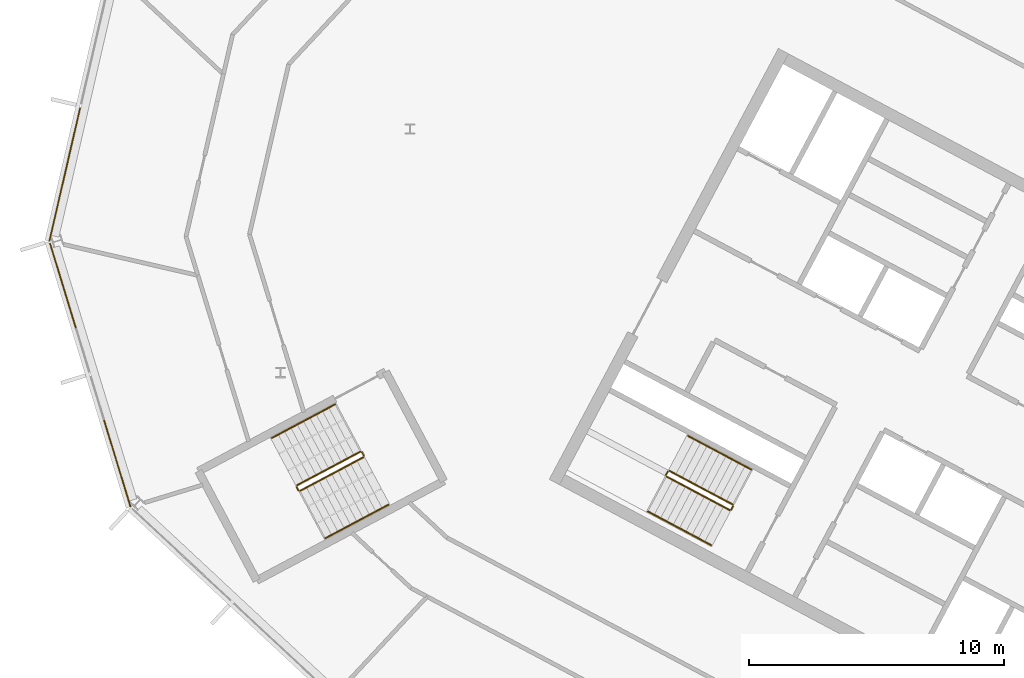
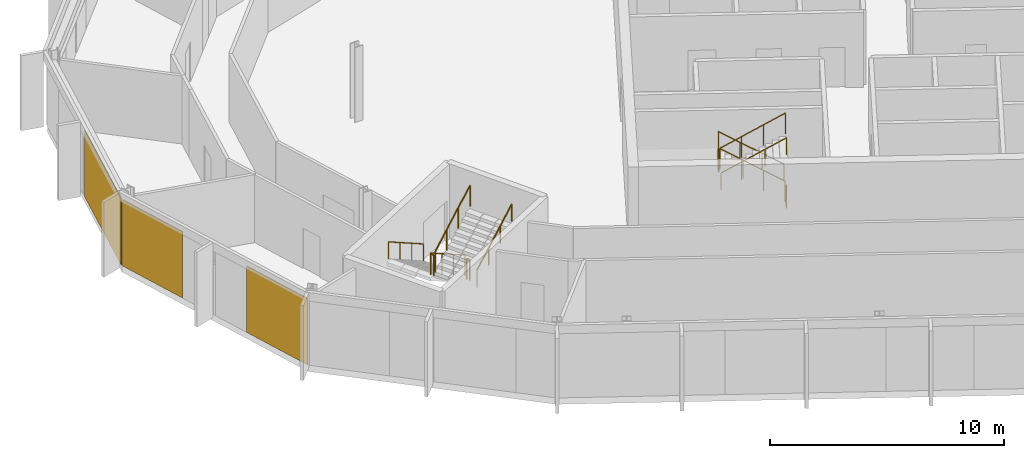
# One storey, part 21 of 26: 12 railings, 3 coverings, 2 elements without a shape of their own.
"""IFC4 building model written with IfcOpenShell, lengths in metres."""

from ifc_helpers import new_model, si_unit, direction, frame, origin, origin_2d, place, context, subcontext, project, spatial, polyline, rectangle, outline, extrude, material, layer, layer_set, type_object, element, aggregate, save


model = new_model("IFC4")

# Units and contexts
model_context = context("Model", 3, precision=1e-05, world=origin(), true_north=direction((0.0, 1.0)))
body_context = subcontext(model_context, "Body", "Model", "MODEL_VIEW")
ifc_project = project(units=[si_unit("LENGTHUNIT", "METRE"), si_unit("AREAUNIT", "SQUARE_METRE"), si_unit("VOLUMEUNIT", "CUBIC_METRE"), si_unit("PLANEANGLEUNIT", "RADIAN"), si_unit("MASSUNIT", "GRAM", prefix="KILO")], contexts=[model_context])

# Site, building, storey
site_placement = place(None, origin())
site = spatial("IfcSite", under=ifc_project, at=site_placement, CompositionType="ELEMENT")
building_placement = place(site_placement, origin())
building = spatial("IfcBuilding", under=site, at=building_placement, Name="Cormorant Relay Tower", CompositionType="ELEMENT")
storey_placement = place(building_placement, frame((0.0, 0.0, 308.699951171875)))
storey = spatial("IfcBuildingStorey", under=building, at=storey_placement, Name="L70", CompositionType="ELEMENT", Elevation=308.699951171875)

# Curtain wall, covering
ifc_material_1 = material(Name="Aluminium 6063-T6 anodised bronze", Category="aluminium")
ifc_layer_1 = layer(ifc_material_1, 0.199951171875)
ifc_layer_set_1 = layer_set([ifc_layer_1], Name="CW1 unitised bronze curtain wall with vertical fins")
curtain_wall_type = type_object("IfcCurtainWallType", Name="CW1 unitised bronze curtain wall with vertical fins", PredefinedType="NOTDEFINED", material=ifc_layer_set_1)
curtain_wall_1_placement = place(storey_placement, origin())
curtain_wall_1 = element("IfcCurtainWall", 1, at=curtain_wall_1_placement, inside=storey, type_object=curtain_wall_type, Name="CW1 curtain wall 13", PredefinedType="NOTDEFINED")
ifc_material_2 = material(Name="Pale bronze anodised aluminium insulated panel", Category="aluminium")
ifc_layer_2 = layer(ifc_material_2, 0.0400390625)
ifc_layer_set_2 = layer_set([ifc_layer_2], Name="CW1 pale bronze insulated panel 40")
covering_type = type_object("IfcCoveringType", Name="CW1 pale bronze insulated panel 40", PredefinedType="CLADDING", material=ifc_layer_set_2)
covering_1_placement = place(storey_placement, frame((-60.136474609375, 23.00927734375, 0.0), z_axis=(0.0, 0.0, 1.0), x_axis=(-0.224951054344, -0.974370064785, 0.0)))
covering_1 = element("IfcCovering", 2, at=covering_1_placement, type_object=covering_type, Name="CW1 panel S02", PredefinedType="CLADDING", context=body_context, shape_type="SweptSolid", body=[
    extrude(rectangle(XDim=5.360107421875, YDim=0.0400390625, at=origin_2d()), origin(), (0.0, 0.0, 1.0), 3.449951171875),
])
aggregate(curtain_wall_1, [covering_1])

# Curtain wall, coverings
curtain_wall_2_placement = place(storey_placement, origin())
curtain_wall_2 = element("IfcCurtainWall", 3, at=curtain_wall_2_placement, inside=storey, type_object=curtain_wall_type, Name="CW1 curtain wall 14", PredefinedType="NOTDEFINED")
covering_2_placement = place(storey_placement, frame((-60.20751953125, 18.6494140625, 0.0), z_axis=(0.0, 0.0, 1.0), x_axis=(0.292371704723, -0.956304755963, 0.0)))
covering_2 = element("IfcCovering", 4, at=covering_2_placement, type_object=covering_type, Name="CW1 panel S00", PredefinedType="CLADDING", context=body_context, shape_type="SweptSolid", body=[
    extrude(rectangle(XDim=3.485107421875, YDim=0.0400390625, at=origin_2d()), origin(), (0.0, 0.0, 1.0), 3.449951171875),
])
covering_3_placement = place(storey_placement, frame((-58.081298828125, 11.6943359375, 0.0), z_axis=(0.0, 0.0, 1.0), x_axis=(0.292371704723, -0.956304755963, 0.0)))
covering_3 = element("IfcCovering", 5, at=covering_3_placement, type_object=covering_type, Name="CW1 panel S03", PredefinedType="CLADDING", context=body_context, shape_type="SweptSolid", body=[
    extrude(rectangle(XDim=3.560302734375, YDim=0.0400390625, at=origin_2d()), origin(), (0.0, 0.0, 1.0), 3.449951171875),
])
aggregate(curtain_wall_2, [covering_2, covering_3])

# Railings
ifc_material_3 = material(Name="Steel ASTM A572 Grade 50 (Fy 345 MPa)", Category="steel")
railing_type_1 = type_object("IfcRailingType", Name="Stair guard 1100", PredefinedType="GUARDRAIL", material=ifc_material_3)
railing_1_placement = place(storey_placement, frame((-33.9921875, 10.08935546875, 0.17724609375)))
element("IfcRailing", 6, at=railing_1_placement, inside=storey, type_object=railing_type_1, Name="L70 A2 stair guard 1", PredefinedType="GUARDRAIL", context=body_context, shape_type="SweptSolid", body=[
    extrude(outline(polyline([(0.022216796875, 0.00927734375), (0.00927734375, 0.022216796875), (-0.00927734375, 0.022216796875), (-0.022216796875, 0.00927734375), (-0.022216796875, -0.00927734375), (-0.00927734375, -0.022216796875), (0.00927734375, -0.022216796875), (0.022216796875, -0.00927734375), (0.022216796875, 0.00927734375)])), frame((0.0, 0.0, 1.076171875), z_axis=(-0.746001213114, 0.396649272309, 0.534931345884), x_axis=(-0.469465464807, -0.882950835185, 0.0)), (0.0, 0.0, 1.0), 3.31396484375),
    extrude(outline(polyline([(0.019287109375, 0.008056640625), (0.008056640625, 0.019287109375), (-0.008056640625, 0.019287109375), (-0.019287109375, 0.008056640625), (-0.019287109375, -0.008056640625), (-0.008056640625, -0.019287109375), (0.008056640625, -0.019287109375), (0.019287109375, -0.008056640625), (0.019287109375, 0.008056640625)])), origin(), (0.0, 0.0, 1.0), 1.052001953125),
    extrude(outline(polyline([(0.019287109375, 0.008056640625), (0.008056640625, 0.019287109375), (-0.008056640625, 0.019287109375), (-0.019287109375, 0.008056640625), (-0.019287109375, -0.008056640625), (-0.008056640625, -0.019287109375), (0.008056640625, -0.019287109375), (0.019287109375, -0.008056640625), (0.019287109375, 0.008056640625)])), frame((-0.823974609375, 0.438232421875, 0.5908203125)), (0.0, 0.0, 1.0), 1.052001953125),
    extrude(outline(polyline([(0.019287109375, 0.008056640625), (0.008056640625, 0.019287109375), (-0.008056640625, 0.019287109375), (-0.019287109375, 0.008056640625), (-0.019287109375, -0.008056640625), (-0.008056640625, -0.019287109375), (0.008056640625, -0.019287109375), (0.019287109375, -0.008056640625), (0.019287109375, 0.008056640625)])), frame((-1.648193359375, 0.876220703125, 1.181884765625)), (0.0, 0.0, 1.0), 1.052001953125),
    extrude(outline(polyline([(0.019287109375, 0.008056640625), (0.008056640625, 0.019287109375), (-0.008056640625, 0.019287109375), (-0.019287109375, 0.008056640625), (-0.019287109375, -0.008056640625), (-0.008056640625, -0.019287109375), (0.008056640625, -0.019287109375), (0.019287109375, -0.008056640625), (0.019287109375, 0.008056640625)])), frame((-2.47216796875, 1.314453125, 1.772705078125)), (0.0, 0.0, 1.0), 1.052001953125),
])
railing_2_placement = place(storey_placement, frame((-36.531982421875, 11.38330078125, 1.949951171875)))
element("IfcRailing", 7, at=railing_2_placement, inside=storey, type_object=railing_type_1, Name="L70 A2 stair guard 2", PredefinedType="GUARDRAIL", context=body_context, shape_type="SweptSolid", body=[
    extrude(outline(polyline([(0.022216796875, 0.00927734375), (0.00927734375, 0.022216796875), (-0.00927734375, 0.022216796875), (-0.022216796875, 0.00927734375), (-0.022216796875, -0.00927734375), (-0.00927734375, -0.022216796875), (0.00927734375, -0.022216796875), (0.022216796875, -0.00927734375), (0.022216796875, 0.00927734375)])), frame((0.0, 0.0, 1.076171875), z_axis=(-0.469828648786, -0.882757634224, 0.0), x_axis=(0.882757634224, -0.469828648786, 0.0)), (0.0, 0.0, 1.0), 0.150146484375),
    extrude(outline(polyline([(0.019287109375, 0.008056640625), (0.008056640625, 0.019287109375), (-0.008056640625, 0.019287109375), (-0.019287109375, 0.008056640625), (-0.019287109375, -0.008056640625), (-0.008056640625, -0.019287109375), (0.008056640625, -0.019287109375), (0.019287109375, -0.008056640625), (0.019287109375, 0.008056640625)])), origin(), (0.0, 0.0, 1.0), 1.052001953125),
    extrude(outline(polyline([(0.019287109375, 0.008056640625), (0.008056640625, 0.019287109375), (-0.008056640625, 0.019287109375), (-0.019287109375, 0.008056640625), (-0.019287109375, -0.008056640625), (-0.008056640625, -0.019287109375), (0.008056640625, -0.019287109375), (0.019287109375, -0.008056640625), (0.019287109375, 0.008056640625)])), frame((-0.070556640625, -0.132568359375, 0.0)), (0.0, 0.0, 1.0), 1.052001953125),
])
railing_3_placement = place(storey_placement, frame((-36.581787109375, 11.18310546875, 2.12744140625)))
element("IfcRailing", 8, at=railing_3_placement, inside=storey, type_object=railing_type_1, Name="L70 A2 stair guard 3", PredefinedType="GUARDRAIL", context=body_context, shape_type="SweptSolid", body=[
    extrude(outline(polyline([(0.022216796875, 0.00927734375), (0.00927734375, 0.022216796875), (-0.00927734375, 0.022216796875), (-0.022216796875, 0.00927734375), (-0.022216796875, -0.00927734375), (-0.00927734375, -0.022216796875), (0.00927734375, -0.022216796875), (0.022216796875, -0.00927734375), (0.022216796875, 0.00927734375)])), frame((0.0, 0.0, 1.076171875), z_axis=(0.746001213114, -0.396649272309, 0.534931345884), x_axis=(0.469465464807, 0.882950835185, 0.0)), (0.0, 0.0, 1.0), 3.31396484375),
    extrude(outline(polyline([(0.019287109375, 0.008056640625), (0.008056640625, 0.019287109375), (-0.008056640625, 0.019287109375), (-0.019287109375, 0.008056640625), (-0.019287109375, -0.008056640625), (-0.008056640625, -0.019287109375), (0.008056640625, -0.019287109375), (0.019287109375, -0.008056640625), (0.019287109375, 0.008056640625)])), origin(), (0.0, 0.0, 1.0), 1.052001953125),
    extrude(outline(polyline([(0.019287109375, 0.008056640625), (0.008056640625, 0.019287109375), (-0.008056640625, 0.019287109375), (-0.019287109375, 0.008056640625), (-0.019287109375, -0.008056640625), (-0.008056640625, -0.019287109375), (0.008056640625, -0.019287109375), (0.019287109375, -0.008056640625), (0.019287109375, 0.008056640625)])), frame((0.823974609375, -0.438232421875, 0.5908203125)), (0.0, 0.0, 1.0), 1.052001953125),
    extrude(outline(polyline([(0.019287109375, 0.008056640625), (0.008056640625, 0.019287109375), (-0.008056640625, 0.019287109375), (-0.019287109375, 0.008056640625), (-0.019287109375, -0.008056640625), (-0.008056640625, -0.019287109375), (0.008056640625, -0.019287109375), (0.019287109375, -0.008056640625), (0.019287109375, 0.008056640625)])), frame((1.648193359375, -0.876220703125, 1.181884765625)), (0.0, 0.0, 1.0), 1.052001953125),
    extrude(outline(polyline([(0.019287109375, 0.008056640625), (0.008056640625, 0.019287109375), (-0.008056640625, 0.019287109375), (-0.019287109375, 0.008056640625), (-0.019287109375, -0.008056640625), (-0.008056640625, -0.019287109375), (0.008056640625, -0.019287109375), (0.019287109375, -0.008056640625), (0.019287109375, 0.008056640625)])), frame((2.47216796875, -1.314453125, 1.772705078125)), (0.0, 0.0, 1.0), 1.052001953125),
])
railing_4_placement = place(storey_placement, frame((-33.971435546875, 10.021728515625, 0.0)))
element("IfcRailing", 9, at=railing_4_placement, inside=storey, type_object=railing_type_1, Name="L70 A2 stair guard 4", PredefinedType="GUARDRAIL", context=body_context, shape_type="SweptSolid", body=[
    extrude(outline(polyline([(0.022216796875, 0.00927734375), (0.00927734375, 0.022216796875), (-0.00927734375, 0.022216796875), (-0.022216796875, 0.00927734375), (-0.022216796875, -0.00927734375), (-0.00927734375, -0.022216796875), (0.00927734375, -0.022216796875), (0.022216796875, -0.00927734375), (0.022216796875, 0.00927734375)])), frame((0.0, 0.0, 1.076171875), z_axis=(-0.470503732759, -0.882398003998, 0.0), x_axis=(0.882398003998, -0.470503732759, 0.0)), (0.0, 0.0, 1.0), 0.14990234375),
    extrude(outline(polyline([(0.019287109375, 0.008056640625), (0.008056640625, 0.019287109375), (-0.008056640625, 0.019287109375), (-0.019287109375, 0.008056640625), (-0.019287109375, -0.008056640625), (-0.008056640625, -0.019287109375), (0.008056640625, -0.019287109375), (0.019287109375, -0.008056640625), (0.019287109375, 0.008056640625)])), origin(), (0.0, 0.0, 1.0), 1.052001953125),
    extrude(outline(polyline([(0.019287109375, 0.008056640625), (0.008056640625, 0.019287109375), (-0.008056640625, 0.019287109375), (-0.019287109375, 0.008056640625), (-0.019287109375, -0.008056640625), (-0.008056640625, -0.019287109375), (0.008056640625, -0.019287109375), (0.019287109375, -0.008056640625), (0.019287109375, 0.008056640625)])), frame((-0.070556640625, -0.13232421875, 0.0)), (0.0, 0.0, 1.0), 1.052001953125),
])
railing_5_placement = place(storey_placement, frame((-48.5693359375, 12.155517578125, 0.17724609375)))
element("IfcRailing", 10, at=railing_5_placement, inside=storey, type_object=railing_type_1, Name="L70 RP1 stair guard 1", PredefinedType="GUARDRAIL", context=body_context, shape_type="SweptSolid", body=[
    extrude(outline(polyline([(0.022216796875, 0.00927734375), (0.00927734375, 0.022216796875), (-0.00927734375, 0.022216796875), (-0.022216796875, 0.00927734375), (-0.022216796875, -0.00927734375), (-0.00927734375, -0.022216796875), (0.00927734375, -0.022216796875), (0.022216796875, -0.00927734375), (0.022216796875, 0.00927734375)])), frame((0.0, 0.0, 1.076171875), z_axis=(-0.746012083385, -0.396689549623, 0.534886317514), x_axis=(0.469497295046, -0.882933910293, 0.0)), (0.0, 0.0, 1.0), 3.314208984375),
    extrude(outline(polyline([(0.019287109375, 0.008056640625), (0.008056640625, 0.019287109375), (-0.008056640625, 0.019287109375), (-0.019287109375, 0.008056640625), (-0.019287109375, -0.008056640625), (-0.008056640625, -0.019287109375), (0.008056640625, -0.019287109375), (0.019287109375, -0.008056640625), (0.019287109375, 0.008056640625)])), origin(), (0.0, 0.0, 1.0), 1.052001953125),
    extrude(outline(polyline([(0.019287109375, 0.008056640625), (0.008056640625, 0.019287109375), (-0.008056640625, 0.019287109375), (-0.019287109375, 0.008056640625), (-0.019287109375, -0.008056640625), (-0.008056640625, -0.019287109375), (0.008056640625, -0.019287109375), (0.019287109375, -0.008056640625), (0.019287109375, 0.008056640625)])), frame((-0.82421875, -0.438232421875, 0.5908203125)), (0.0, 0.0, 1.0), 1.052001953125),
    extrude(outline(polyline([(0.019287109375, 0.008056640625), (0.008056640625, 0.019287109375), (-0.008056640625, 0.019287109375), (-0.019287109375, 0.008056640625), (-0.019287109375, -0.008056640625), (-0.008056640625, -0.019287109375), (0.008056640625, -0.019287109375), (0.019287109375, -0.008056640625), (0.019287109375, 0.008056640625)])), frame((-1.648193359375, -0.87646484375, 1.181884765625)), (0.0, 0.0, 1.0), 1.052001953125),
    extrude(outline(polyline([(0.019287109375, 0.008056640625), (0.008056640625, 0.019287109375), (-0.008056640625, 0.019287109375), (-0.019287109375, 0.008056640625), (-0.019287109375, -0.008056640625), (-0.008056640625, -0.019287109375), (0.008056640625, -0.019287109375), (0.019287109375, -0.008056640625), (0.019287109375, 0.008056640625)])), frame((-2.472412109375, -1.314697265625, 1.772705078125)), (0.0, 0.0, 1.0), 1.052001953125),
])
railing_6_placement = place(storey_placement, frame((-51.062255859375, 10.773193359375, 1.949951171875)))
element("IfcRailing", 11, at=railing_6_placement, inside=storey, type_object=railing_type_1, Name="L70 RP1 stair guard 2", PredefinedType="GUARDRAIL", context=body_context, shape_type="SweptSolid", body=[
    extrude(outline(polyline([(0.022216796875, 0.00927734375), (0.00927734375, 0.022216796875), (-0.00927734375, 0.022216796875), (-0.022216796875, 0.00927734375), (-0.022216796875, -0.00927734375), (-0.00927734375, -0.022216796875), (0.00927734375, -0.022216796875), (0.022216796875, -0.00927734375), (0.022216796875, 0.00927734375)])), frame((0.0, 0.0, 1.076171875), z_axis=(0.469234640946, -0.883073525669, 0.0), x_axis=(0.883073525669, 0.469234640946, 0.0)), (0.0, 0.0, 1.0), 0.14990234375),
    extrude(outline(polyline([(0.019287109375, 0.008056640625), (0.008056640625, 0.019287109375), (-0.008056640625, 0.019287109375), (-0.019287109375, 0.008056640625), (-0.019287109375, -0.008056640625), (-0.008056640625, -0.019287109375), (0.008056640625, -0.019287109375), (0.019287109375, -0.008056640625), (0.019287109375, 0.008056640625)])), origin(), (0.0, 0.0, 1.0), 1.052001953125),
    extrude(outline(polyline([(0.019287109375, 0.008056640625), (0.008056640625, 0.019287109375), (-0.008056640625, 0.019287109375), (-0.019287109375, 0.008056640625), (-0.019287109375, -0.008056640625), (-0.008056640625, -0.019287109375), (0.008056640625, -0.019287109375), (0.019287109375, -0.008056640625), (0.019287109375, 0.008056640625)])), frame((0.0703125, -0.13232421875, 0.0)), (0.0, 0.0, 1.0), 1.052001953125),
])
railing_7_placement = place(storey_placement, frame((-50.92431640625, 10.6201171875, 2.12744140625)))
element("IfcRailing", 12, at=railing_7_placement, inside=storey, type_object=railing_type_1, Name="L70 RP1 stair guard 3", PredefinedType="GUARDRAIL", context=body_context, shape_type="SweptSolid", body=[
    extrude(outline(polyline([(0.022216796875, 0.00927734375), (0.00927734375, 0.022216796875), (-0.00927734375, 0.022216796875), (-0.022216796875, 0.00927734375), (-0.022216796875, -0.00927734375), (-0.00927734375, -0.022216796875), (0.00927734375, -0.022216796875), (0.022216796875, -0.00927734375), (0.022216796875, 0.00927734375)])), frame((0.0, 0.0, 1.076171875), z_axis=(0.746033882577, 0.396627473466, 0.534901947407), x_axis=(-0.469429322983, 0.882970050864, 0.0)), (0.0, 0.0, 1.0), 3.31396484375),
    extrude(outline(polyline([(0.019287109375, 0.008056640625), (0.008056640625, 0.019287109375), (-0.008056640625, 0.019287109375), (-0.019287109375, 0.008056640625), (-0.019287109375, -0.008056640625), (-0.008056640625, -0.019287109375), (0.008056640625, -0.019287109375), (0.019287109375, -0.008056640625), (0.019287109375, 0.008056640625)])), origin(), (0.0, 0.0, 1.0), 1.052001953125),
    extrude(outline(polyline([(0.019287109375, 0.008056640625), (0.008056640625, 0.019287109375), (-0.008056640625, 0.019287109375), (-0.019287109375, 0.008056640625), (-0.019287109375, -0.008056640625), (-0.008056640625, -0.019287109375), (0.008056640625, -0.019287109375), (0.019287109375, -0.008056640625), (0.019287109375, 0.008056640625)])), frame((0.82421875, 0.438232421875, 0.5908203125)), (0.0, 0.0, 1.0), 1.052001953125),
    extrude(outline(polyline([(0.019287109375, 0.008056640625), (0.008056640625, 0.019287109375), (-0.008056640625, 0.019287109375), (-0.019287109375, 0.008056640625), (-0.019287109375, -0.008056640625), (-0.008056640625, -0.019287109375), (0.008056640625, -0.019287109375), (0.019287109375, -0.008056640625), (0.019287109375, 0.008056640625)])), frame((1.648193359375, 0.876220703125, 1.181884765625)), (0.0, 0.0, 1.0), 1.052001953125),
    extrude(outline(polyline([(0.019287109375, 0.008056640625), (0.008056640625, 0.019287109375), (-0.008056640625, 0.019287109375), (-0.019287109375, 0.008056640625), (-0.019287109375, -0.008056640625), (-0.008056640625, -0.019287109375), (0.008056640625, -0.019287109375), (0.019287109375, -0.008056640625), (0.019287109375, 0.008056640625)])), frame((2.472412109375, 1.314453125, 1.772705078125)), (0.0, 0.0, 1.0), 1.052001953125),
])
railing_8_placement = place(storey_placement, frame((-48.501708984375, 12.134765625, 0.0)))
element("IfcRailing", 13, at=railing_8_placement, inside=storey, type_object=railing_type_1, Name="L70 RP1 stair guard 4", PredefinedType="GUARDRAIL", context=body_context, shape_type="SweptSolid", body=[
    extrude(outline(polyline([(0.022216796875, 0.00927734375), (0.00927734375, 0.022216796875), (-0.00927734375, 0.022216796875), (-0.022216796875, 0.00927734375), (-0.022216796875, -0.00927734375), (-0.00927734375, -0.022216796875), (0.00927734375, -0.022216796875), (0.022216796875, -0.00927734375), (0.022216796875, 0.00927734375)])), frame((0.0, 0.0, 1.076171875), z_axis=(0.46856034887, -0.8834314911, 0.0), x_axis=(0.8834314911, 0.46856034887, 0.0)), (0.0, 0.0, 1.0), 0.150146484375),
    extrude(outline(polyline([(0.019287109375, 0.008056640625), (0.008056640625, 0.019287109375), (-0.008056640625, 0.019287109375), (-0.019287109375, 0.008056640625), (-0.019287109375, -0.008056640625), (-0.008056640625, -0.019287109375), (0.008056640625, -0.019287109375), (0.019287109375, -0.008056640625), (0.019287109375, 0.008056640625)])), origin(), (0.0, 0.0, 1.0), 1.052001953125),
    extrude(outline(polyline([(0.019287109375, 0.008056640625), (0.008056640625, 0.019287109375), (-0.008056640625, 0.019287109375), (-0.019287109375, 0.008056640625), (-0.019287109375, -0.008056640625), (-0.008056640625, -0.019287109375), (0.008056640625, -0.019287109375), (0.019287109375, -0.008056640625), (0.019287109375, 0.008056640625)])), frame((0.0703125, -0.132568359375, 0.0)), (0.0, 0.0, 1.0), 1.052001953125),
])
ifc_material_4 = material(Name="Steel ASTM A572 Grade 50 (Fy 345 MPa)", Category="steel")
railing_type_2 = type_object("IfcRailingType", Name="Stair handrail 900", PredefinedType="HANDRAIL", material=ifc_material_4)
railing_9_placement = place(storey_placement, frame((-33.264404296875, 11.4580078125, 0.17724609375)))
element("IfcRailing", 14, at=railing_9_placement, inside=storey, type_object=railing_type_2, Name="L70 A2 stair handrail 1", PredefinedType="HANDRAIL", context=body_context, shape_type="SweptSolid", body=[
    extrude(outline(polyline([(0.022216796875, 0.00927734375), (0.00927734375, 0.022216796875), (-0.00927734375, 0.022216796875), (-0.022216796875, 0.00927734375), (-0.022216796875, -0.00927734375), (-0.00927734375, -0.022216796875), (0.00927734375, -0.022216796875), (0.022216796875, -0.00927734375), (0.022216796875, 0.00927734375)])), frame((0.0, 0.0, 0.8759765625), z_axis=(-0.746033882577, 0.396627473466, 0.534901947407), x_axis=(-0.469429322983, -0.882970050864, 0.0)), (0.0, 0.0, 1.0), 3.31396484375),
    extrude(outline(polyline([(0.019287109375, 0.008056640625), (0.008056640625, 0.019287109375), (-0.008056640625, 0.019287109375), (-0.019287109375, 0.008056640625), (-0.019287109375, -0.008056640625), (-0.008056640625, -0.019287109375), (0.008056640625, -0.019287109375), (0.019287109375, -0.008056640625), (0.019287109375, 0.008056640625)])), origin(), (0.0, 0.0, 1.0), 0.851806640625),
    extrude(outline(polyline([(0.019287109375, 0.008056640625), (0.008056640625, 0.019287109375), (-0.008056640625, 0.019287109375), (-0.019287109375, 0.008056640625), (-0.019287109375, -0.008056640625), (-0.008056640625, -0.019287109375), (0.008056640625, -0.019287109375), (0.019287109375, -0.008056640625), (0.019287109375, 0.008056640625)])), frame((-0.82421875, 0.438232421875, 0.5908203125)), (0.0, 0.0, 1.0), 0.851806640625),
    extrude(outline(polyline([(0.019287109375, 0.008056640625), (0.008056640625, 0.019287109375), (-0.008056640625, 0.019287109375), (-0.019287109375, 0.008056640625), (-0.019287109375, -0.008056640625), (-0.008056640625, -0.019287109375), (0.008056640625, -0.019287109375), (0.019287109375, -0.008056640625), (0.019287109375, 0.008056640625)])), frame((-1.648193359375, 0.876220703125, 1.181884765625)), (0.0, 0.0, 1.0), 0.851806640625),
    extrude(outline(polyline([(0.019287109375, 0.008056640625), (0.008056640625, 0.019287109375), (-0.008056640625, 0.019287109375), (-0.019287109375, 0.008056640625), (-0.019287109375, -0.008056640625), (-0.008056640625, -0.019287109375), (0.008056640625, -0.019287109375), (0.019287109375, -0.008056640625), (0.019287109375, 0.008056640625)])), frame((-2.472412109375, 1.314453125, 1.772705078125)), (0.0, 0.0, 1.0), 0.851806640625),
])
railing_10_placement = place(storey_placement, frame((-37.3095703125, 9.814453125, 2.12744140625)))
element("IfcRailing", 15, at=railing_10_placement, inside=storey, type_object=railing_type_2, Name="L70 A2 stair handrail 2", PredefinedType="HANDRAIL", context=body_context, shape_type="SweptSolid", body=[
    extrude(outline(polyline([(0.022216796875, 0.00927734375), (0.00927734375, 0.022216796875), (-0.00927734375, 0.022216796875), (-0.022216796875, 0.00927734375), (-0.022216796875, -0.00927734375), (-0.00927734375, -0.022216796875), (0.00927734375, -0.022216796875), (0.022216796875, -0.00927734375), (0.022216796875, 0.00927734375)])), frame((0.0, 0.0, 0.8759765625), z_axis=(0.746033882577, -0.396627473466, 0.534901947407), x_axis=(0.469429322983, 0.882970050864, 0.0)), (0.0, 0.0, 1.0), 3.31396484375),
    extrude(outline(polyline([(0.019287109375, 0.008056640625), (0.008056640625, 0.019287109375), (-0.008056640625, 0.019287109375), (-0.019287109375, 0.008056640625), (-0.019287109375, -0.008056640625), (-0.008056640625, -0.019287109375), (0.008056640625, -0.019287109375), (0.019287109375, -0.008056640625), (0.019287109375, 0.008056640625)])), origin(), (0.0, 0.0, 1.0), 0.851806640625),
    extrude(outline(polyline([(0.019287109375, 0.008056640625), (0.008056640625, 0.019287109375), (-0.008056640625, 0.019287109375), (-0.019287109375, 0.008056640625), (-0.019287109375, -0.008056640625), (-0.008056640625, -0.019287109375), (0.008056640625, -0.019287109375), (0.019287109375, -0.008056640625), (0.019287109375, 0.008056640625)])), frame((0.82421875, -0.438232421875, 0.5908203125)), (0.0, 0.0, 1.0), 0.851806640625),
    extrude(outline(polyline([(0.019287109375, 0.008056640625), (0.008056640625, 0.019287109375), (-0.008056640625, 0.019287109375), (-0.019287109375, 0.008056640625), (-0.019287109375, -0.008056640625), (-0.008056640625, -0.019287109375), (0.008056640625, -0.019287109375), (0.019287109375, -0.008056640625), (0.019287109375, 0.008056640625)])), frame((1.648193359375, -0.876220703125, 1.181884765625)), (0.0, 0.0, 1.0), 0.851806640625),
    extrude(outline(polyline([(0.019287109375, 0.008056640625), (0.008056640625, 0.019287109375), (-0.008056640625, 0.019287109375), (-0.019287109375, 0.008056640625), (-0.019287109375, -0.008056640625), (-0.008056640625, -0.019287109375), (0.008056640625, -0.019287109375), (0.019287109375, -0.008056640625), (0.019287109375, 0.008056640625)])), frame((2.472412109375, -1.314453125, 1.772705078125)), (0.0, 0.0, 1.0), 0.851806640625),
])
railing_11_placement = place(storey_placement, frame((-49.55517578125, 14.009521484375, 0.17724609375)))
element("IfcRailing", 16, at=railing_11_placement, inside=storey, type_object=railing_type_2, Name="L70 RP1 stair handrail 1", PredefinedType="HANDRAIL", context=body_context, shape_type="SweptSolid", body=[
    extrude(outline(polyline([(0.022216796875, 0.00927734375), (0.00927734375, 0.022216796875), (-0.00927734375, 0.022216796875), (-0.022216796875, 0.00927734375), (-0.022216796875, -0.00927734375), (-0.00927734375, -0.022216796875), (0.00927734375, -0.022216796875), (0.022216796875, -0.00927734375), (0.022216796875, 0.00927734375)])), frame((0.0, 0.0, 0.8759765625), z_axis=(-0.746033882577, -0.396627473466, 0.534901947407), x_axis=(0.469429322983, -0.882970050864, 0.0)), (0.0, 0.0, 1.0), 3.31396484375),
    extrude(outline(polyline([(0.019287109375, 0.008056640625), (0.008056640625, 0.019287109375), (-0.008056640625, 0.019287109375), (-0.019287109375, 0.008056640625), (-0.019287109375, -0.008056640625), (-0.008056640625, -0.019287109375), (0.008056640625, -0.019287109375), (0.019287109375, -0.008056640625), (0.019287109375, 0.008056640625)])), origin(), (0.0, 0.0, 1.0), 0.851806640625),
    extrude(outline(polyline([(0.019287109375, 0.008056640625), (0.008056640625, 0.019287109375), (-0.008056640625, 0.019287109375), (-0.019287109375, 0.008056640625), (-0.019287109375, -0.008056640625), (-0.008056640625, -0.019287109375), (0.008056640625, -0.019287109375), (0.019287109375, -0.008056640625), (0.019287109375, 0.008056640625)])), frame((-0.82421875, -0.438232421875, 0.5908203125)), (0.0, 0.0, 1.0), 0.851806640625),
    extrude(outline(polyline([(0.019287109375, 0.008056640625), (0.008056640625, 0.019287109375), (-0.008056640625, 0.019287109375), (-0.019287109375, 0.008056640625), (-0.019287109375, -0.008056640625), (-0.008056640625, -0.019287109375), (0.008056640625, -0.019287109375), (0.019287109375, -0.008056640625), (0.019287109375, 0.008056640625)])), frame((-1.648193359375, -0.876220703125, 1.181884765625)), (0.0, 0.0, 1.0), 0.851806640625),
    extrude(outline(polyline([(0.019287109375, 0.008056640625), (0.008056640625, 0.019287109375), (-0.008056640625, 0.019287109375), (-0.019287109375, 0.008056640625), (-0.019287109375, -0.008056640625), (-0.008056640625, -0.019287109375), (0.008056640625, -0.019287109375), (0.019287109375, -0.008056640625), (0.019287109375, 0.008056640625)])), frame((-2.472412109375, -1.314453125, 1.772705078125)), (0.0, 0.0, 1.0), 0.851806640625),
])
railing_12_placement = place(storey_placement, frame((-49.9384765625, 8.765869140625, 2.12744140625)))
element("IfcRailing", 17, at=railing_12_placement, inside=storey, type_object=railing_type_2, Name="L70 RP1 stair handrail 2", PredefinedType="HANDRAIL", context=body_context, shape_type="SweptSolid", body=[
    extrude(outline(polyline([(0.022216796875, 0.00927734375), (0.00927734375, 0.022216796875), (-0.00927734375, 0.022216796875), (-0.022216796875, 0.00927734375), (-0.022216796875, -0.00927734375), (-0.00927734375, -0.022216796875), (0.00927734375, -0.022216796875), (0.022216796875, -0.00927734375), (0.022216796875, 0.00927734375)])), frame((0.0, 0.0, 0.8759765625), z_axis=(0.746012083385, 0.396689549623, 0.534886317514), x_axis=(-0.469497295046, 0.882933910293, 0.0)), (0.0, 0.0, 1.0), 3.314208984375),
    extrude(outline(polyline([(0.019287109375, 0.008056640625), (0.008056640625, 0.019287109375), (-0.008056640625, 0.019287109375), (-0.019287109375, 0.008056640625), (-0.019287109375, -0.008056640625), (-0.008056640625, -0.019287109375), (0.008056640625, -0.019287109375), (0.019287109375, -0.008056640625), (0.019287109375, 0.008056640625)])), origin(), (0.0, 0.0, 1.0), 0.851806640625),
    extrude(outline(polyline([(0.019287109375, 0.008056640625), (0.008056640625, 0.019287109375), (-0.008056640625, 0.019287109375), (-0.019287109375, 0.008056640625), (-0.019287109375, -0.008056640625), (-0.008056640625, -0.019287109375), (0.008056640625, -0.019287109375), (0.019287109375, -0.008056640625), (0.019287109375, 0.008056640625)])), frame((0.82421875, 0.438232421875, 0.5908203125)), (0.0, 0.0, 1.0), 0.851806640625),
    extrude(outline(polyline([(0.019287109375, 0.008056640625), (0.008056640625, 0.019287109375), (-0.008056640625, 0.019287109375), (-0.019287109375, 0.008056640625), (-0.019287109375, -0.008056640625), (-0.008056640625, -0.019287109375), (0.008056640625, -0.019287109375), (0.019287109375, -0.008056640625), (0.019287109375, 0.008056640625)])), frame((1.648193359375, 0.87646484375, 1.181884765625)), (0.0, 0.0, 1.0), 0.851806640625),
    extrude(outline(polyline([(0.019287109375, 0.008056640625), (0.008056640625, 0.019287109375), (-0.008056640625, 0.019287109375), (-0.019287109375, 0.008056640625), (-0.019287109375, -0.008056640625), (-0.008056640625, -0.019287109375), (0.008056640625, -0.019287109375), (0.019287109375, -0.008056640625), (0.019287109375, 0.008056640625)])), frame((2.472412109375, 1.314697265625, 1.772705078125)), (0.0, 0.0, 1.0), 0.851806640625),
])

save(model, "model.ifc")
